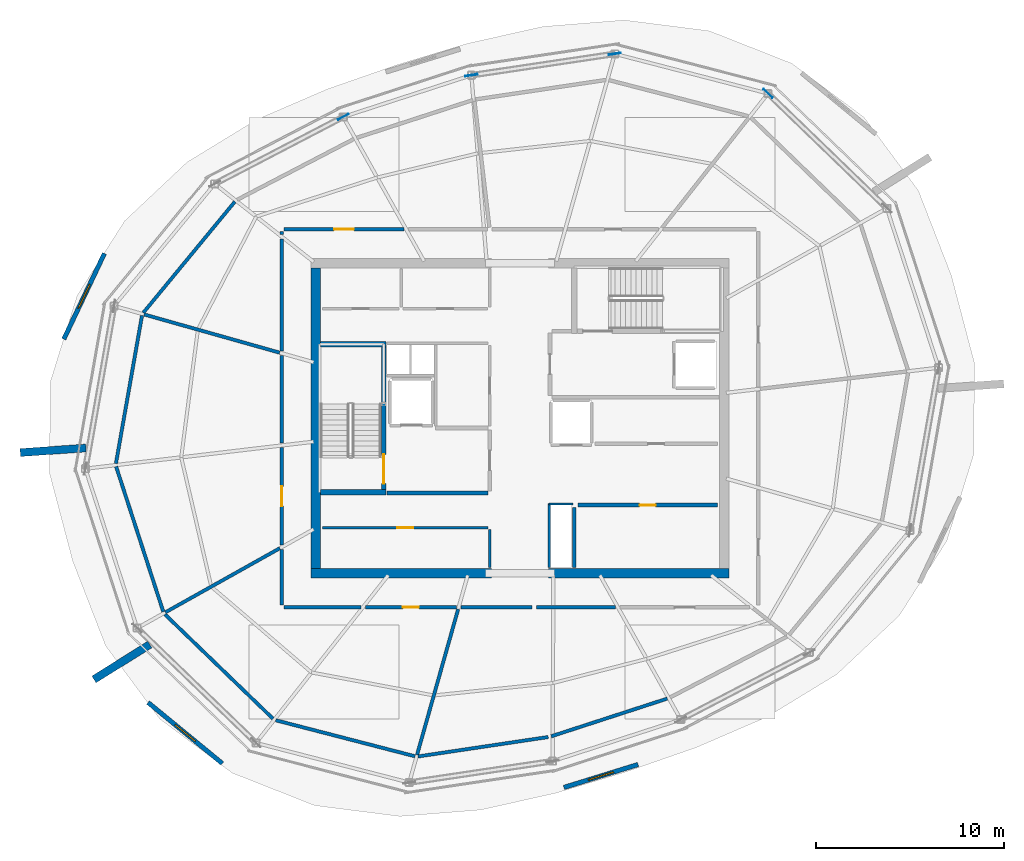
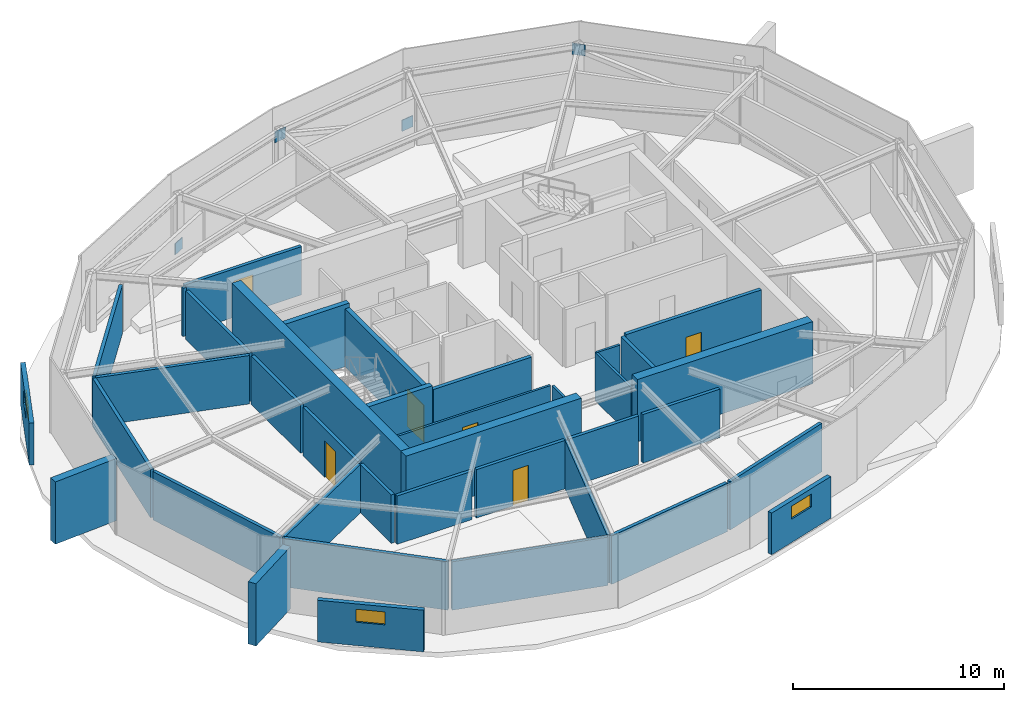
# One storey, part 7 of 10: 38 walls, 6 doors, 4 plates, 3 windows, 9 openings.
"""IFC4 building model written with IfcOpenShell, lengths in metres."""

from ifc_helpers import new_model, si_unit, direction, frame, frame_2d, origin, origin_2d, place, context, subcontext, project, spatial, rectangle, extrude, material, layer, layer_set, type_object, element, fill, save


model = new_model("IFC4")

# Units and contexts
model_context = context("Model", 3, precision=1e-05, world=origin(), true_north=direction((0.0, 1.0)))
body_context = subcontext(model_context, "Body", "Model", "MODEL_VIEW")
ifc_project = project(units=[si_unit("LENGTHUNIT", "METRE"), si_unit("AREAUNIT", "SQUARE_METRE"), si_unit("VOLUMEUNIT", "CUBIC_METRE"), si_unit("PLANEANGLEUNIT", "RADIAN"), si_unit("MASSUNIT", "GRAM", prefix="KILO")], contexts=[model_context])

# Site, building, storey
site_placement = place(None, origin())
site = spatial("IfcSite", under=ifc_project, at=site_placement, CompositionType="ELEMENT")
building_placement = place(site_placement, origin())
building = spatial("IfcBuilding", under=site, at=building_placement, Name="Kazma Halo Residences", CompositionType="ELEMENT")
storey_placement = place(building_placement, frame((0.0, 0.0, 374.0)))
storey = spatial("IfcBuildingStorey", under=building, at=storey_placement, Name="L94", CompositionType="ELEMENT", Elevation=374.0)

# Plates
ifc_material_1 = material(Name="Steel S355", Category="steel")
ifc_layer_1 = layer(ifc_material_1, 0.0400390625)
ifc_layer_set_1 = layer_set([ifc_layer_1], Name="Steel S355")
plate_type = type_object("IfcPlateType", Name="PLT-GUSSET-40", PredefinedType="SHEET", material=ifc_layer_set_1)
for number, where, z_axis, x_axis, name in (
    (1, (61.617431640625, 59.273681640625, 2.655029296875), (0.0, 0.0, 1.0), (-0.719342064482, 0.694656025863, 0.0), "L94 crown brace upper gusset 01"),
    (2, (53.46630859375, 61.38232421875, -0.044921875), (0.0, 0.0, 1.0), (-0.98903421845, -0.147686542161, 0.0), "L94 crown brace lower gusset 03"),
    (3, (45.8408203125, 60.24365234375, 2.655029296875), (0.0, 0.0, 1.0), (-0.98903421845, -0.147686542161, 0.0), "L94 crown brace upper gusset 03"),
    (4, (39.0234375, 58.02880859375, -0.044921875), (0.0, 0.0, 1.0), (-0.886949727325, -0.461865977529, 0.0), "L94 crown brace lower gusset 05"),
):
    element("IfcPlate", number, at=place(storey_placement, frame(where, z_axis=z_axis, x_axis=x_axis)), inside=storey, type_object=plate_type, Name=name, PredefinedType="SHEET", context=body_context, shape_type="SweptSolid", body=[
        extrude(rectangle(XDim=0.64990234375, YDim=0.0400390625, at=origin_2d()), origin(), (0.0, 0.0, 1.0), 0.64990234375),
    ])

# Walls
ifc_material_2 = material(Name="Pale Concrete C60/75", Category="concrete")
ifc_layer_2 = layer(ifc_material_2, 0.419921875)
ifc_layer_set_2 = layer_set([ifc_layer_2], Name="Pale Concrete C60/75")
wall_type_1 = type_object("IfcWallType", Name="WL-BLADE-420", PredefinedType="SOLIDWALL", material=ifc_layer_set_2)
for number, where, z_axis, x_axis, name in (
    (5, (25.333984375, 40.4150390625, 0.0), (0.0, 0.0, 1.0), (-0.997564163539, -0.069754853754, 0.0), "L94 pale concrete structural blade fin wall BW-02"),
    (6, (28.731201171875, 29.95947265625, 0.0), (0.0, 0.0, 1.0), (-0.848033572426, -0.529942506352, 0.0), "L94 pale concrete structural blade fin wall BW-03"),
):
    element("IfcWall", number, at=place(storey_placement, frame(where, z_axis=z_axis, x_axis=x_axis)), inside=storey, type_object=wall_type_1, Name=name, PredefinedType="SOLIDWALL", context=body_context, shape_type="SweptSolid", body=[
        extrude(rectangle(XDim=3.5, YDim=0.419921875, at=frame_2d((1.75, 0.0))), origin(), (0.0, 0.0, 1.0), 3.60009765625),
    ])
ifc_material_3 = material(Name="Concrete C60/75", Category="concrete")
ifc_layer_3 = layer(ifc_material_3, 0.5)
ifc_layer_set_3 = layer_set([ifc_layer_3], Name="Concrete C60/75")
wall_type_2 = type_object("IfcWallType", Name="WL-CORE-500", PredefinedType="SHEAR", material=ifc_layer_set_3)
wall_1_placement = place(storey_placement, frame((37.300048828125, 33.75, 0.0), z_axis=(0.0, 0.0, 1.0), x_axis=(1.0, 0.0, 0.0)))
element("IfcWall", 7, at=wall_1_placement, inside=storey, type_object=wall_type_2, Name="L94 central core shear wall SW", PredefinedType="SHEAR", context=body_context, shape_type="SweptSolid", body=[
    extrude(rectangle(XDim=9.599853515625, YDim=0.5, at=frame_2d((4.7998046875, 0.0))), origin(), (0.0, 0.0, 1.0), 3.60009765625),
])
wall_2_placement = place(storey_placement, frame((49.949951171875, 33.75, 0.0), z_axis=(0.0, 0.0, 1.0), x_axis=(1.0, 0.0, 0.0)))
element("IfcWall", 8, at=wall_2_placement, inside=storey, type_object=wall_type_2, Name="L94 central core shear wall SE", PredefinedType="SHEAR", context=body_context, shape_type="SweptSolid", body=[
    extrude(rectangle(XDim=9.60009765625, YDim=0.5, at=frame_2d((4.800048828125, 0.0))), origin(), (0.0, 0.0, 1.0), 3.60009765625),
])
wall_3_placement = place(storey_placement, frame((37.550048828125, 34.0, 0.0), z_axis=(0.0, 0.0, 1.0), x_axis=(0.0, 1.0, 0.0)))
element("IfcWall", 9, at=wall_3_placement, inside=storey, type_object=wall_type_2, Name="L94 central core shear wall W", PredefinedType="SHEAR", context=body_context, shape_type="SweptSolid", body=[
    extrude(rectangle(XDim=16.0, YDim=0.5, at=frame_2d((8.0, 0.0))), origin(), (0.0, 0.0, 1.0), 3.60009765625),
])
ifc_layer_4 = layer(ifc_material_3, 0.280029296875)
ifc_layer_set_4 = layer_set([ifc_layer_4], Name="Concrete C60/75")
wall_type_3 = type_object("IfcWallType", Name="WL-CORE-ST-280", PredefinedType="SHEAR", material=ifc_layer_set_4)
for number, where, z_axis, x_axis, name in (
    (10, (37.800048828125, 38.06005859375, 0.0), (0.0, 0.0, 1.0), (1.0, 0.0, 0.0), "L94 stairwell bearing wall ST01-S"),
    (11, (37.800048828125, 45.93994140625, 0.0), (0.0, 0.0, 1.0), (1.0, 0.0, 0.0), "L94 stairwell bearing wall ST01-N"),
):
    element("IfcWall", number, at=place(storey_placement, frame(where, z_axis=z_axis, x_axis=x_axis)), inside=storey, type_object=wall_type_3, Name=name, PredefinedType="SHEAR", context=body_context, shape_type="SweptSolid", body=[
        extrude(rectangle(XDim=3.5, YDim=0.280029296875, at=frame_2d((1.75, 0.0))), origin(), (0.0, 0.0, 1.0), 3.60009765625),
    ])
ifc_material_4 = material(Name="Acoustic Twin-Stud Gypsum")
ifc_layer_5 = layer(ifc_material_4, 0.179931640625)
ifc_layer_set_5 = layer_set([ifc_layer_5], Name="Acoustic Twin-Stud Gypsum")
wall_type_4 = type_object("IfcWallType", Name="WL-DEM-180", PredefinedType="PARTITIONING", material=ifc_layer_set_5)
wall_4_placement = place(storey_placement, frame((33.257568359375, 53.520263671875, 0.0), z_axis=(0.0, 0.0, 1.0), x_axis=(-0.636018833443, -0.771673534278, 0.0)))
element("IfcWall", 12, at=wall_4_placement, inside=storey, type_object=wall_type_4, Name="L94 crown plant perimeter wall 05", PredefinedType="PARTITIONING", context=body_context, shape_type="SweptSolid", body=[
    extrude(rectangle(XDim=7.661376953125, YDim=0.179931640625, at=frame_2d((3.83056640625, 0.0))), origin(), (0.0, 0.0, 1.0), 2.800048828125),
])
wall_5_placement = place(storey_placement, frame((28.320068359375, 47.467529296875, 0.0), z_axis=(0.0, 0.0, 1.0), x_axis=(-0.173668776466, -0.984804120666, 0.0)))
element("IfcWall", 13, at=wall_5_placement, inside=storey, type_object=wall_type_4, Name="L94 crown plant perimeter wall 06", PredefinedType="PARTITIONING", context=body_context, shape_type="SweptSolid", body=[
    extrude(rectangle(XDim=8.005859375, YDim=0.179931640625, at=frame_2d((4.0029296875, 0.0))), origin(), (0.0, 0.0, 1.0), 2.800048828125),
])
wall_6_placement = place(storey_placement, frame((26.940673828125, 39.428466796875, 0.0), z_axis=(0.0, 0.0, 1.0), x_axis=(0.309024234991, -0.951054163646, 0.0)))
element("IfcWall", 14, at=wall_6_placement, inside=storey, type_object=wall_type_4, Name="L94 crown plant perimeter wall 07", PredefinedType="PARTITIONING", context=body_context, shape_type="SweptSolid", body=[
    extrude(rectangle(XDim=8.1240234375, YDim=0.179931640625, at=frame_2d((4.06201171875, 0.0))), origin(), (0.0, 0.0, 1.0), 2.800048828125),
])
wall_7_placement = place(storey_placement, frame((29.533203125, 31.5703125, 0.0), z_axis=(0.0, 0.0, 1.0), x_axis=(0.719364153135, -0.694633151516, 0.0)))
element("IfcWall", 15, at=wall_7_placement, inside=storey, type_object=wall_type_4, Name="L94 crown plant perimeter wall 08", PredefinedType="PARTITIONING", context=body_context, shape_type="SweptSolid", body=[
    extrude(rectangle(XDim=8.006103515625, YDim=0.179931640625, at=frame_2d((4.0029296875, 0.0))), origin(), (0.0, 0.0, 1.0), 2.800048828125),
])
wall_8_placement = place(storey_placement, frame((35.42724609375, 25.93359375, 0.0), z_axis=(0.0, 0.0, 1.0), x_axis=(0.968117205342, -0.250497658115, 0.0)))
element("IfcWall", 16, at=wall_8_placement, inside=storey, type_object=wall_type_4, Name="L94 crown plant perimeter wall 09", PredefinedType="PARTITIONING", context=body_context, shape_type="SweptSolid", body=[
    extrude(rectangle(XDim=7.66162109375, YDim=0.179931640625, at=frame_2d((3.830810546875, 0.0))), origin(), (0.0, 0.0, 1.0), 2.800048828125),
])
wall_9_placement = place(storey_placement, frame((43.0009765625, 24.00634765625, 0.0), z_axis=(0.0, 0.0, 1.0), x_axis=(0.989034336252, 0.147685753256, 0.0)))
element("IfcWall", 17, at=wall_9_placement, inside=storey, type_object=wall_type_4, Name="L94 crown plant perimeter wall 10", PredefinedType="PARTITIONING", context=body_context, shape_type="SweptSolid", body=[
    extrude(rectangle(XDim=7.002685546875, YDim=0.179931640625, at=frame_2d((3.50146484375, 0.0))), origin(), (0.0, 0.0, 1.0), 2.800048828125),
])
wall_10_placement = place(storey_placement, frame((50.08203125, 25.076904296875, 0.0), z_axis=(0.0, 0.0, 1.0), x_axis=(0.95105283999, 0.309028308649, 0.0)))
element("IfcWall", 18, at=wall_10_placement, inside=storey, type_object=wall_type_4, Name="L94 crown plant perimeter wall 11", PredefinedType="PARTITIONING", context=body_context, shape_type="SweptSolid", body=[
    extrude(rectangle(XDim=6.498779296875, YDim=0.179931640625, at=frame_2d((3.24951171875, 0.0))), origin(), (0.0, 0.0, 1.0), 2.800048828125),
])

# Wall, opening, door
wall_11_placement = place(storey_placement, frame((42.251708984375, 52.050048828125, 0.0), z_axis=(0.0, 0.0, 1.0), x_axis=(-1.0, 0.0, 0.0)))
wall_11 = element("IfcWall", 19, at=wall_11_placement, inside=storey, type_object=wall_type_4, Name="L94 L94 District Cooling Chiller Plant Room corridor wall", PredefinedType="PARTITIONING", context=body_context, shape_type="SweptSolid", body=[
    extrude(rectangle(XDim=6.381591796875, YDim=0.179931640625, at=frame_2d((3.19091796875, 0.0))), origin(), (0.0, 0.0, 1.0), 2.800048828125),
])
opening_1_placement = place(wall_11_placement, frame((2.666015625, 0.0, 0.0)))
opening_1 = element("IfcOpeningElement", 20, at=opening_1_placement, cuts=wall_11, Name="Opening DF-1050", PredefinedType="OPENING", context=body_context, shape_type="SweptSolid", body=[
    extrude(rectangle(XDim=1.050048828125, YDim=2.10009765625, at=frame_2d((0.52490234375, 1.050048828125))), frame((0.0, 0.099853515625, 0.0), z_axis=(0.0, -1.0, 0.0), x_axis=(1.0, 0.0, 0.0)), (0.0, 0.0, 1.0), 0.199951171875),
])
ifc_material_5 = material(Name="Fire-Rated Steel Leaf", Category="steel")
door_type_1 = type_object("IfcDoorType", Name="DR-FD90-1050", OperationType="NOTDEFINED", PredefinedType="DOOR", material=ifc_material_5)
door_1_placement = place(opening_1_placement, origin())
door_1 = element("IfcDoor", 21, at=door_1_placement, inside=storey, type_object=door_type_1, Name="L94 L94 District Cooling Chiller Plant Room door", OperationType="SINGLE_SWING_RIGHT", OverallHeight=2.10009765625, OverallWidth=1.050048828125, PredefinedType="DOOR", context=body_context, shape_type="SweptSolid", body=[
    extrude(rectangle(XDim=1.050048828125, YDim=2.10009765625, at=frame_2d((0.52490234375, 1.050048828125))), frame((0.0, 0.02490234375, 0.0), z_axis=(0.0, -1.0, 0.0), x_axis=(1.0, 0.0, 0.0)), (0.0, 0.0, 1.0), 0.050048828125),
])
fill(opening_1, door_1)

# Walls
wall_12_placement = place(storey_placement, frame((35.75, 51.929931640625, 0.0), z_axis=(0.0, 0.0, 1.0), x_axis=(0.0, -1.0, 0.0)))
element("IfcWall", 22, at=wall_12_placement, inside=storey, type_object=wall_type_4, Name="L94 L94 District Cooling Chiller Plant Room corridor wall", PredefinedType="PARTITIONING", context=body_context, shape_type="SweptSolid", body=[
    extrude(rectangle(XDim=0.15283203125, YDim=0.179931640625, at=frame_2d((0.076416015625, 0.0))), origin(), (0.0, 0.0, 1.0), 2.800048828125),
])
wall_13_placement = place(storey_placement, frame((35.75, 51.537109375, 0.0), z_axis=(0.0, 0.0, 1.0), x_axis=(0.0, -1.0, 0.0)))
element("IfcWall", 23, at=wall_13_placement, inside=storey, type_object=wall_type_4, Name="L94 L94 District Cooling Chiller Plant Room corridor wall", PredefinedType="PARTITIONING", context=body_context, shape_type="SweptSolid", body=[
    extrude(rectangle(XDim=5.962158203125, YDim=0.179931640625, at=frame_2d((2.98095703125, 0.0))), origin(), (0.0, 0.0, 1.0), 2.800048828125),
])
wall_14_placement = place(storey_placement, frame((35.64404296875, 45.48486328125, 0.0), z_axis=(0.0, 0.0, 1.0), x_axis=(-0.96245862205, 0.271428445159, 0.0)))
element("IfcWall", 24, at=wall_14_placement, inside=storey, type_object=wall_type_4, Name="L94 radial partition wall 06", PredefinedType="PARTITIONING", context=body_context, shape_type="SweptSolid", body=[
    extrude(rectangle(XDim=7.495361328125, YDim=0.179931640625, at=frame_2d((3.74755859375, 0.0))), origin(), (0.0, 0.0, 1.0), 2.800048828125),
])
wall_15_placement = place(storey_placement, frame((35.75, 45.3349609375, 0.0), z_axis=(0.0, 0.0, 1.0), x_axis=(0.0, -1.0, 0.0)))
element("IfcWall", 25, at=wall_15_placement, inside=storey, type_object=wall_type_4, Name="L94 L94 Primary AHU Mechanical Plant Room corridor wall", PredefinedType="PARTITIONING", context=body_context, shape_type="SweptSolid", body=[
    extrude(rectangle(XDim=4.664794921875, YDim=0.179931640625, at=frame_2d((2.33251953125, 0.0))), origin(), (0.0, 0.0, 1.0), 2.800048828125),
])

# Wall, opening, door
wall_16_placement = place(storey_placement, frame((35.75, 40.43017578125, 0.0), z_axis=(0.0, 0.0, 1.0), x_axis=(0.0, -1.0, 0.0)))
wall_16 = element("IfcWall", 26, at=wall_16_placement, inside=storey, type_object=wall_type_4, Name="L94 L94 Primary AHU Mechanical Plant Room corridor wall", PredefinedType="PARTITIONING", context=body_context, shape_type="SweptSolid", body=[
    extrude(rectangle(XDim=5.17041015625, YDim=0.179931640625, at=frame_2d((2.585205078125, 0.0))), origin(), (0.0, 0.0, 1.0), 2.800048828125),
])
opening_2_placement = place(wall_16_placement, frame((2.060302734375, 0.0, 0.0)))
opening_2 = element("IfcOpeningElement", 27, at=opening_2_placement, cuts=wall_16, Name="Opening DF-1050", PredefinedType="OPENING", context=body_context, shape_type="SweptSolid", body=[
    extrude(rectangle(XDim=1.050048828125, YDim=2.10009765625, at=frame_2d((0.52490234375, 1.050048828125))), frame((0.0, 0.099853515625, 0.0), z_axis=(0.0, -1.0, 0.0), x_axis=(1.0, 0.0, 0.0)), (0.0, 0.0, 1.0), 0.199951171875),
])
door_2_placement = place(opening_2_placement, origin())
door_2 = element("IfcDoor", 28, at=door_2_placement, inside=storey, type_object=door_type_1, Name="L94 L94 Primary AHU Mechanical Plant Room door", OperationType="SINGLE_SWING_LEFT", OverallHeight=2.10009765625, OverallWidth=1.050048828125, PredefinedType="DOOR", context=body_context, shape_type="SweptSolid", body=[
    extrude(rectangle(XDim=1.050048828125, YDim=2.10009765625, at=frame_2d((0.52490234375, 1.050048828125))), frame((0.0, 0.02490234375, 0.0), z_axis=(0.0, -1.0, 0.0), x_axis=(1.0, 0.0, 0.0)), (0.0, 0.0, 1.0), 0.050048828125),
])
fill(opening_2, door_2)

# Walls
wall_17_placement = place(storey_placement, frame((35.654052734375, 35.0859375, 0.0), z_axis=(0.0, 0.0, 1.0), x_axis=(-0.872497667023, -0.488618277432, 0.0)))
element("IfcWall", 29, at=wall_17_placement, inside=storey, type_object=wall_type_4, Name="L94 radial partition wall 08", PredefinedType="PARTITIONING", context=body_context, shape_type="SweptSolid", body=[
    extrude(rectangle(XDim=6.981201171875, YDim=0.179931640625, at=frame_2d((3.49072265625, 0.0))), origin(), (0.0, 0.0, 1.0), 2.800048828125),
])
wall_18_placement = place(storey_placement, frame((35.75, 35.019775390625, 0.0), z_axis=(0.0, 0.0, 1.0), x_axis=(0.0, -1.0, 0.0)))
element("IfcWall", 30, at=wall_18_placement, inside=storey, type_object=wall_type_4, Name="L94 L94 Fire Reserve Water Tank Room corridor wall", PredefinedType="PARTITIONING", context=body_context, shape_type="SweptSolid", body=[
    extrude(rectangle(XDim=2.94970703125, YDim=0.179931640625, at=frame_2d((1.474853515625, 0.0))), origin(), (0.0, 0.0, 1.0), 2.800048828125),
])
wall_19_placement = place(storey_placement, frame((35.8701171875, 31.949951171875, 0.0), z_axis=(0.0, 0.0, 1.0), x_axis=(1.0, 0.0, 0.0)))
element("IfcWall", 31, at=wall_19_placement, inside=storey, type_object=wall_type_4, Name="L94 L94 Fire Reserve Water Tank Room corridor wall", PredefinedType="PARTITIONING", context=body_context, shape_type="SweptSolid", body=[
    extrude(rectangle(XDim=4.087158203125, YDim=0.179931640625, at=frame_2d((2.04345703125, 0.0))), origin(), (0.0, 0.0, 1.0), 2.800048828125),
])

# Wall, opening, door
wall_20_placement = place(storey_placement, frame((40.197265625, 31.949951171875, 0.0), z_axis=(0.0, 0.0, 1.0), x_axis=(1.0, 0.0, 0.0)))
wall_20 = element("IfcWall", 32, at=wall_20_placement, inside=storey, type_object=wall_type_4, Name="L94 L94 Fire Reserve Water Tank Room corridor wall", PredefinedType="PARTITIONING", context=body_context, shape_type="SweptSolid", body=[
    extrude(rectangle(XDim=4.848388671875, YDim=0.179931640625, at=frame_2d((2.42431640625, 0.0))), origin(), (0.0, 0.0, 1.0), 2.800048828125),
])
opening_3_placement = place(wall_20_placement, frame((1.999267578125, 0.0, 0.0)))
opening_3 = element("IfcOpeningElement", 33, at=opening_3_placement, cuts=wall_20, Name="Opening DS-850", PredefinedType="OPENING", context=body_context, shape_type="SweptSolid", body=[
    extrude(rectangle(XDim=0.85009765625, YDim=2.06005859375, at=frame_2d((0.425048828125, 1.030029296875))), frame((0.0, 0.099853515625, 0.0), z_axis=(0.0, -1.0, 0.0), x_axis=(1.0, 0.0, 0.0)), (0.0, 0.0, 1.0), 0.199951171875),
])
ifc_material_6 = material(Name="Painted Steel Access Leaf", Category="steel")
door_type_2 = type_object("IfcDoorType", Name="DR-SVC-850", OperationType="NOTDEFINED", PredefinedType="DOOR", material=ifc_material_6)
door_3_placement = place(opening_3_placement, origin())
door_3 = element("IfcDoor", 34, at=door_3_placement, inside=storey, type_object=door_type_2, Name="L94 L94 Fire Reserve Water Tank Room door", OperationType="SINGLE_SWING_RIGHT", OverallHeight=2.06005859375, OverallWidth=0.85009765625, PredefinedType="DOOR", context=body_context, shape_type="SweptSolid", body=[
    extrude(rectangle(XDim=0.85009765625, YDim=2.06005859375, at=frame_2d((0.425048828125, 1.030029296875))), frame((0.0, 0.02490234375, 0.0), z_axis=(0.0, -1.0, 0.0), x_axis=(1.0, 0.0, 0.0)), (0.0, 0.0, 1.0), 0.050048828125),
])
fill(opening_3, door_3)

# Walls
wall_21_placement = place(storey_placement, frame((45.1357421875, 31.843994140625, 0.0), z_axis=(0.0, 0.0, 1.0), x_axis=(-0.271457285698, -0.962450488099, 0.0)))
element("IfcWall", 35, at=wall_21_placement, inside=storey, type_object=wall_type_4, Name="L94 radial partition wall 10", PredefinedType="PARTITIONING", context=body_context, shape_type="SweptSolid", body=[
    extrude(rectangle(XDim=8.0556640625, YDim=0.179931640625, at=frame_2d((4.02783203125, 0.0))), origin(), (0.0, 0.0, 1.0), 2.800048828125),
])
wall_22_placement = place(storey_placement, frame((45.28564453125, 31.949951171875, 0.0), z_axis=(0.0, 0.0, 1.0), x_axis=(1.0, 0.0, 0.0)))
element("IfcWall", 36, at=wall_22_placement, inside=storey, type_object=wall_type_4, Name="L94 L94 Heat Recovery Mechanical Plant Room corridor wall", PredefinedType="PARTITIONING", context=body_context, shape_type="SweptSolid", body=[
    extrude(rectangle(XDim=3.783935546875, YDim=0.179931640625, at=frame_2d((1.89208984375, 0.0))), origin(), (0.0, 0.0, 1.0), 2.800048828125),
])
wall_23_placement = place(storey_placement, frame((49.3095703125, 31.949951171875, 0.0), z_axis=(0.0, 0.0, 1.0), x_axis=(1.0, 0.0, 0.0)))
element("IfcWall", 37, at=wall_23_placement, inside=storey, type_object=wall_type_4, Name="L94 L94 Heat Recovery Mechanical Plant Room corridor wall", PredefinedType="PARTITIONING", context=body_context, shape_type="SweptSolid", body=[
    extrude(rectangle(XDim=4.19873046875, YDim=0.179931640625, at=frame_2d((2.099365234375, 0.0))), origin(), (0.0, 0.0, 1.0), 2.800048828125),
])

# Wall, opening, window
ifc_material_7 = material(Name="Insulated Pale-Metal Composite Wall")
ifc_layer_6 = layer(ifc_material_7, 0.239990234375)
ifc_layer_set_6 = layer_set([ifc_layer_6], Name="Insulated Pale-Metal Composite Wall")
wall_type_5 = type_object("IfcWallType", Name="WL-EXT-HOST-240", PredefinedType="SOLIDWALL", material=ifc_layer_set_6)
wall_24_placement = place(storey_placement, frame((26.316650390625, 50.7607421875, 0.0), z_axis=(0.0, 0.0, 1.0), x_axis=(-0.4282507592, -0.903659940046, 0.0)))
wall_24 = element("IfcWall", 38, at=wall_24_placement, inside=storey, type_object=wall_type_5, Name="L94 crown clerestory band wall 03", PredefinedType="SOLIDWALL", context=body_context, shape_type="SweptSolid", body=[
    extrude(rectangle(XDim=5.04248046875, YDim=0.239990234375, at=frame_2d((2.521240234375, 0.0))), origin(), (0.0, 0.0, 1.0), 2.409912109375),
])
opening_4_placement = place(wall_24_placement, frame((1.8212890625, 0.0, 1.35009765625)))
opening_4 = element("IfcOpeningElement", 39, at=opening_4_placement, cuts=wall_24, Name="Opening WSK-1400", PredefinedType="OPENING", context=body_context, shape_type="SweptSolid", body=[
    extrude(rectangle(XDim=1.39990234375, YDim=0.75, at=frame_2d((0.699951171875, 0.375))), frame((0.0, 0.1298828125, 0.0), z_axis=(0.0, -1.0, 0.0), x_axis=(1.0, 0.0, 0.0)), (0.0, 0.0, 1.0), 0.260009765625),
])
ifc_material_8 = material(Name="Clear Triple-Silver Low-E Glass in Aluminium AW-6063 T6 Frame", Category="aluminium")
window_type = type_object("IfcWindowType", Name="WIN-CRWN-SKYL-1400", PartitioningType="SINGLE_PANEL", PredefinedType="SKYLIGHT", material=ifc_material_8)
window_1_placement = place(opening_4_placement, origin())
window_1 = element("IfcWindow", 40, at=window_1_placement, inside=storey, type_object=window_type, Name="L94 crown clerestory skylight 03", OverallHeight=0.75, OverallWidth=1.39990234375, PartitioningType="SINGLE_PANEL", PredefinedType="SKYLIGHT", context=body_context, shape_type="SweptSolid", body=[
    extrude(rectangle(XDim=1.39990234375, YDim=0.75, at=frame_2d((0.699951171875, 0.375))), frame((0.0, 0.030029296875, 0.0), z_axis=(0.0, -1.0, 0.0), x_axis=(1.0, 0.0, 0.0)), (0.0, 0.0, 1.0), 0.06005859375),
])
fill(opening_4, window_1)

wall_25_placement = place(storey_placement, frame((28.641357421875, 26.875244140625, 0.0), z_axis=(0.0, 0.0, 1.0), x_axis=(0.772921300133, -0.634501902125, 0.0)))
wall_25 = element("IfcWall", 41, at=wall_25_placement, inside=storey, type_object=wall_type_5, Name="L94 crown clerestory band wall 04", PredefinedType="SOLIDWALL", context=body_context, shape_type="SweptSolid", body=[
    extrude(rectangle(XDim=5.10791015625, YDim=0.239990234375, at=frame_2d((2.553955078125, 0.0))), origin(), (0.0, 0.0, 1.0), 2.409912109375),
])
opening_5_placement = place(wall_25_placement, frame((1.85400390625, 0.0, 1.35009765625)))
opening_5 = element("IfcOpeningElement", 42, at=opening_5_placement, cuts=wall_25, Name="Opening WSK-1400", PredefinedType="OPENING", context=body_context, shape_type="SweptSolid", body=[
    extrude(rectangle(XDim=1.39990234375, YDim=0.75, at=frame_2d((0.699951171875, 0.375))), frame((0.0, 0.1298828125, 0.0), z_axis=(0.0, -1.0, 0.0), x_axis=(1.0, 0.0, 0.0)), (0.0, 0.0, 1.0), 0.260009765625),
])
window_2_placement = place(opening_5_placement, origin())
window_2 = element("IfcWindow", 43, at=window_2_placement, inside=storey, type_object=window_type, Name="L94 crown clerestory skylight 04", OverallHeight=0.75, OverallWidth=1.39990234375, PartitioningType="SINGLE_PANEL", PredefinedType="SKYLIGHT", context=body_context, shape_type="SweptSolid", body=[
    extrude(rectangle(XDim=1.39990234375, YDim=0.75, at=frame_2d((0.699951171875, 0.375))), frame((0.0, 0.030029296875, 0.0), z_axis=(0.0, -1.0, 0.0), x_axis=(1.0, 0.0, 0.0)), (0.0, 0.0, 1.0), 0.06005859375),
])
fill(opening_5, window_2)

wall_26_placement = place(storey_placement, frame((50.760498046875, 22.35791015625, 0.0), z_axis=(0.0, 0.0, 1.0), x_axis=(0.955241739185, 0.295826333714, 0.0)))
wall_26 = element("IfcWall", 44, at=wall_26_placement, inside=storey, type_object=wall_type_5, Name="L94 crown clerestory band wall 05", PredefinedType="SOLIDWALL", context=body_context, shape_type="SweptSolid", body=[
    extrude(rectangle(XDim=4.12890625, YDim=0.239990234375, at=frame_2d((2.064453125, 0.0))), origin(), (0.0, 0.0, 1.0), 2.409912109375),
])
opening_6_placement = place(wall_26_placement, frame((1.364501953125, 0.0, 1.35009765625)))
opening_6 = element("IfcOpeningElement", 45, at=opening_6_placement, cuts=wall_26, Name="Opening WSK-1400", PredefinedType="OPENING", context=body_context, shape_type="SweptSolid", body=[
    extrude(rectangle(XDim=1.39990234375, YDim=0.75, at=frame_2d((0.699951171875, 0.375))), frame((0.0, 0.1298828125, 0.0), z_axis=(0.0, -1.0, 0.0), x_axis=(1.0, 0.0, 0.0)), (0.0, 0.0, 1.0), 0.260009765625),
])
window_3_placement = place(opening_6_placement, origin())
window_3 = element("IfcWindow", 46, at=window_3_placement, inside=storey, type_object=window_type, Name="L94 crown clerestory skylight 05", OverallHeight=0.75, OverallWidth=1.39990234375, PartitioningType="SINGLE_PANEL", PredefinedType="SKYLIGHT", context=body_context, shape_type="SweptSolid", body=[
    extrude(rectangle(XDim=1.39990234375, YDim=0.75, at=frame_2d((0.699951171875, 0.375))), frame((0.0, 0.030029296875, 0.0), z_axis=(0.0, -1.0, 0.0), x_axis=(1.0, 0.0, 0.0)), (0.0, 0.0, 1.0), 0.06005859375),
])
fill(opening_6, window_3)

# Wall, opening, door
ifc_material_9 = material(Name="Fire-Rated Blockwork Masonry", Category="masonry")
ifc_layer_7 = layer(ifc_material_9, 0.199951171875)
ifc_layer_set_7 = layer_set([ifc_layer_7], Name="Fire-Rated Blockwork Masonry")
wall_type_6 = type_object("IfcWallType", Name="WL-FLB-200", PredefinedType="PARTITIONING", material=ifc_layer_set_7)
wall_27_placement = place(storey_placement, frame((51.52001953125, 37.3798828125, 0.0), z_axis=(0.0, 0.0, 1.0), x_axis=(1.0, 0.0, 0.0)))
wall_27 = element("IfcWall", 47, at=wall_27_placement, inside=storey, type_object=wall_type_6, Name="L94 core fan plant wall", PredefinedType="PARTITIONING", context=body_context, shape_type="SweptSolid", body=[
    extrude(rectangle(XDim=7.39990234375, YDim=0.199951171875, at=frame_2d((3.699951171875, 0.0))), origin(), (0.0, 0.0, 1.0), 3.360107421875),
])
opening_7_placement = place(wall_27_placement, frame((3.27490234375, 0.0, 0.0)))
opening_7 = element("IfcOpeningElement", 48, at=opening_7_placement, cuts=wall_27, Name="Opening DS-850", PredefinedType="OPENING", context=body_context, shape_type="SweptSolid", body=[
    extrude(rectangle(XDim=0.85009765625, YDim=2.06005859375, at=frame_2d((0.425048828125, 1.030029296875))), frame((0.0, 0.10986328125, 0.0), z_axis=(0.0, -1.0, 0.0), x_axis=(1.0, 0.0, 0.0)), (0.0, 0.0, 1.0), 0.219970703125),
])
door_4_placement = place(opening_7_placement, origin())
door_4 = element("IfcDoor", 49, at=door_4_placement, inside=storey, type_object=door_type_2, Name="L94 core fan plant door", OperationType="SINGLE_SWING_LEFT", OverallHeight=2.06005859375, OverallWidth=0.85009765625, PredefinedType="DOOR", context=body_context, shape_type="SweptSolid", body=[
    extrude(rectangle(XDim=0.85009765625, YDim=2.06005859375, at=frame_2d((0.425048828125, 1.030029296875))), frame((0.0, 0.02490234375, 0.0), z_axis=(0.0, -1.0, 0.0), x_axis=(1.0, 0.0, 0.0)), (0.0, 0.0, 1.0), 0.050048828125),
])
fill(opening_7, door_4)

# Walls
wall_28_placement = place(storey_placement, frame((51.31005859375, 34.050048828125, 0.0), z_axis=(0.0, 0.0, 1.0), x_axis=(0.0, 1.0, 0.0)))
element("IfcWall", 50, at=wall_28_placement, inside=storey, type_object=wall_type_6, Name="L94 core fan plant west wall", PredefinedType="PARTITIONING", context=body_context, shape_type="SweptSolid", body=[
    extrude(rectangle(XDim=3.2099609375, YDim=0.199951171875, at=frame_2d((1.60498046875, 0.0))), origin(), (0.0, 0.0, 1.0), 3.360107421875),
])
wall_29_placement = place(storey_placement, frame((41.35009765625, 38.02001953125, 0.0), z_axis=(0.0, 0.0, 1.0), x_axis=(1.0, 0.0, 0.0)))
element("IfcWall", 51, at=wall_29_placement, inside=storey, type_object=wall_type_6, Name="L94 west firefighting lobby south smoke wall", PredefinedType="PARTITIONING", context=body_context, shape_type="SweptSolid", body=[
    extrude(rectangle(XDim=5.369873046875, YDim=0.199951171875, at=frame_2d((2.68505859375, 0.0))), origin(), (0.0, 0.0, 1.0), 3.360107421875),
])
ifc_material_10 = material(Name="Gypsum Plasterboard Partition")
ifc_layer_8 = layer(ifc_material_10, 0.125)
ifc_layer_set_8 = layer_set([ifc_layer_8], Name="Gypsum Plasterboard Partition")
wall_type_7 = type_object("IfcWallType", Name="WL-PART-125", PredefinedType="PARTITIONING", material=ifc_layer_set_8)
wall_30_placement = place(storey_placement, frame((46.820068359375, 34.050048828125, 0.0), z_axis=(0.0, 0.0, 1.0), x_axis=(0.0, 1.0, 0.0)))
element("IfcWall", 52, at=wall_30_placement, inside=storey, type_object=wall_type_7, Name="L94 reclaimed south east wall", PredefinedType="PARTITIONING", context=body_context, shape_type="SweptSolid", body=[
    extrude(rectangle(XDim=2.030029296875, YDim=0.125, at=frame_2d((1.01513671875, 0.0))), origin(), (0.0, 0.0, 1.0), 2.800048828125),
])

# Wall, opening, door
wall_31_placement = place(storey_placement, frame((37.919921875, 36.179931640625, 0.0), z_axis=(0.0, 0.0, 1.0), x_axis=(1.0, 0.0, 0.0)))
wall_31 = element("IfcWall", 53, at=wall_31_placement, inside=storey, type_object=wall_type_7, Name="L94 reclaimed south front wall", PredefinedType="PARTITIONING", context=body_context, shape_type="SweptSolid", body=[
    extrude(rectangle(XDim=8.800048828125, YDim=0.125, at=frame_2d((4.39990234375, 0.0))), origin(), (0.0, 0.0, 1.0), 2.800048828125),
])
opening_8_placement = place(wall_31_placement, frame((3.97509765625, 0.0, 0.0)))
opening_8 = element("IfcOpeningElement", 54, at=opening_8_placement, cuts=wall_31, Name="Opening DS-850", PredefinedType="OPENING", context=body_context, shape_type="SweptSolid", body=[
    extrude(rectangle(XDim=0.85009765625, YDim=2.06005859375, at=frame_2d((0.425048828125, 1.030029296875))), frame((0.0, 0.072509765625, 0.0), z_axis=(0.0, -1.0, 0.0), x_axis=(1.0, 0.0, 0.0)), (0.0, 0.0, 1.0), 0.14501953125),
])
door_5_placement = place(opening_8_placement, origin())
door_5 = element("IfcDoor", 55, at=door_5_placement, inside=storey, type_object=door_type_2, Name="L94 reclaimed south service door", OperationType="SINGLE_SWING_LEFT", OverallHeight=2.06005859375, OverallWidth=0.85009765625, PredefinedType="DOOR", context=body_context, shape_type="SweptSolid", body=[
    extrude(rectangle(XDim=0.85009765625, YDim=2.06005859375, at=frame_2d((0.425048828125, 1.030029296875))), frame((0.0, 0.02490234375, 0.0), z_axis=(0.0, -1.0, 0.0), x_axis=(1.0, 0.0, 0.0)), (0.0, 0.0, 1.0), 0.050048828125),
])
fill(opening_8, door_5)

# Walls
wall_32_placement = place(storey_placement, frame((49.97998046875, 34.06005859375, 0.0), z_axis=(0.0, 0.0, 1.0), x_axis=(0.0, 1.0, 0.0)))
element("IfcWall", 56, at=wall_32_placement, inside=storey, type_object=wall_type_7, Name="L94 standpipe riser wall", PredefinedType="PARTITIONING", context=body_context, shape_type="SweptSolid", body=[
    extrude(rectangle(XDim=3.39990234375, YDim=0.125, at=frame_2d((1.699951171875, 0.0))), origin(), (0.0, 0.0, 1.0), 2.800048828125),
])
wall_33_placement = place(storey_placement, frame((49.97998046875, 37.43994140625, 0.0), z_axis=(0.0, 0.0, 1.0), x_axis=(1.0, 0.0, 0.0)))
element("IfcWall", 57, at=wall_33_placement, inside=storey, type_object=wall_type_7, Name="L94 standpipe riser north wall", PredefinedType="PARTITIONING", context=body_context, shape_type="SweptSolid", body=[
    extrude(rectangle(XDim=1.260009765625, YDim=0.125, at=frame_2d((0.6298828125, 0.0))), origin(), (0.0, 0.0, 1.0), 2.800048828125),
])

# Wall, opening, door
ifc_material_11 = material(Name="Concrete C50/60", Category="concrete")
ifc_layer_9 = layer(ifc_material_11, 0.25)
ifc_layer_set_9 = layer_set([ifc_layer_9], Name="Concrete C50/60")
wall_type_8 = type_object("IfcWallType", Name="WL-SHF-250", PredefinedType="SOLIDWALL", material=ifc_layer_set_9)
wall_34_placement = place(storey_placement, frame((41.179931640625, 38.219970703125, 0.0), z_axis=(0.0, 0.0, 1.0), x_axis=(0.0, 1.0, 0.0)))
wall_34 = element("IfcWall", 58, at=wall_34_placement, inside=storey, type_object=wall_type_8, Name="L94 exit stair ST-01 enclosure wall", PredefinedType="SOLIDWALL", context=body_context, shape_type="SweptSolid", body=[
    extrude(rectangle(XDim=7.56005859375, YDim=0.25, at=frame_2d((3.780029296875, 0.0))), origin(), (0.0, 0.0, 1.0), 3.360107421875),
])
opening_9_placement = place(wall_34_placement, frame((0.300048828125, 0.0, 0.0)))
opening_9 = element("IfcOpeningElement", 59, at=opening_9_placement, cuts=wall_34, Name="Opening D-ST1", PredefinedType="OPENING", context=body_context, shape_type="SweptSolid", body=[
    extrude(rectangle(XDim=1.550048828125, YDim=2.14990234375, at=frame_2d((0.77490234375, 1.074951171875))), frame((0.0, 0.135009765625, 0.0), z_axis=(0.0, -1.0, 0.0), x_axis=(1.0, 0.0, 0.0)), (0.0, 0.0, 1.0), 0.27001953125),
])
ifc_material_12 = material(Name="Fire-Rated Double Steel Leaf", Category="steel")
door_type_3 = type_object("IfcDoorType", Name="DR-FD90-1550", OperationType="NOTDEFINED", PredefinedType="DOOR", material=ifc_material_12)
door_6_placement = place(opening_9_placement, origin())
door_6 = element("IfcDoor", 60, at=door_6_placement, inside=storey, type_object=door_type_3, Name="L94 exit stair ST-01 fire door", OperationType="DOUBLE_DOOR_SINGLE_SWING", OverallHeight=2.14990234375, OverallWidth=1.550048828125, PredefinedType="DOOR", context=body_context, shape_type="SweptSolid", body=[
    extrude(rectangle(XDim=1.550048828125, YDim=2.14990234375, at=frame_2d((0.77490234375, 1.074951171875))), frame((0.0, 0.02490234375, 0.0), z_axis=(0.0, -1.0, 0.0), x_axis=(1.0, 0.0, 0.0)), (0.0, 0.0, 1.0), 0.050048828125),
])
fill(opening_9, door_6)

save(model, "model.ifc")
